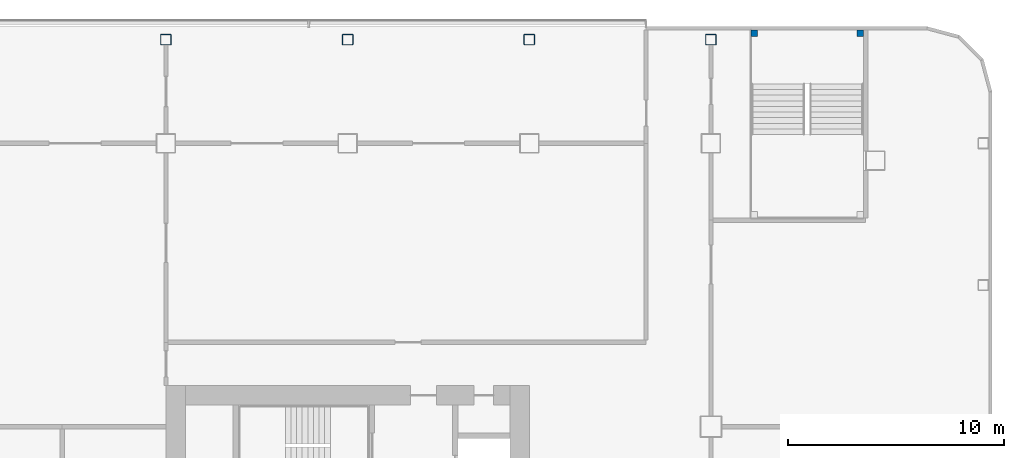
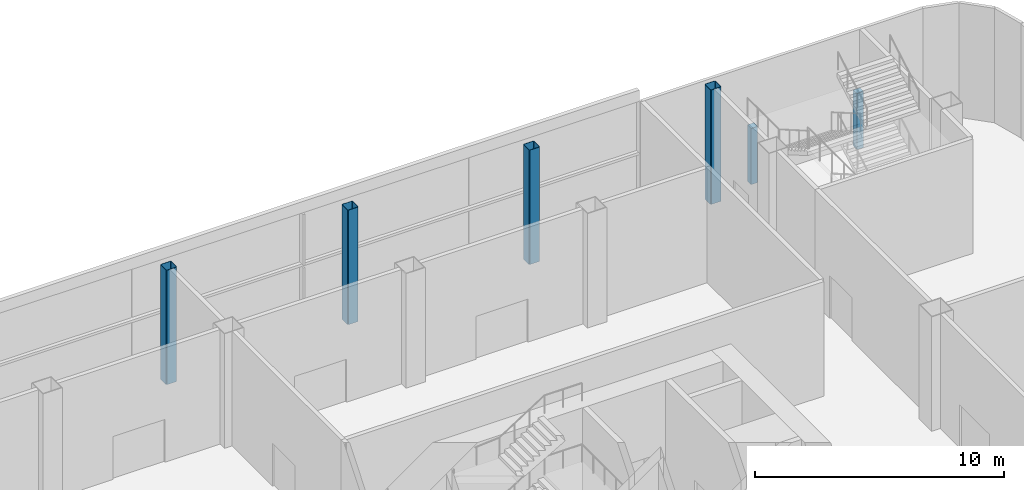
# One storey, part 8 of 100: 6 columns.
"""IFC4 building model written with IfcOpenShell, lengths in metres."""

from ifc_helpers import new_model, si_unit, direction, frame, origin, origin_2d, place, context, subcontext, project, spatial, rectangle, hollow_rectangle, extrude, material, material_profile, profile_set, type_object, element, save


model = new_model("IFC4")

# Units and contexts
model_context = context("Model", 3, precision=1e-05, world=origin(), true_north=direction((0.0, 1.0)))
body_context = subcontext(model_context, "Body", "Model", "MODEL_VIEW")
ifc_project = project(units=[si_unit("LENGTHUNIT", "METRE"), si_unit("AREAUNIT", "SQUARE_METRE"), si_unit("VOLUMEUNIT", "CUBIC_METRE"), si_unit("PLANEANGLEUNIT", "RADIAN"), si_unit("MASSUNIT", "GRAM", prefix="KILO")], contexts=[model_context])

# Site, building, storey
site_placement = place(None, origin())
site = spatial("IfcSite", under=ifc_project, at=site_placement, CompositionType="ELEMENT")
building_placement = place(site_placement, origin())
building = spatial("IfcBuilding", under=site, at=building_placement, Name="Hakoniwa Tower and Hamabe Station Hall", CompositionType="ELEMENT")
storey_placement = place(building_placement, frame((0.0, 0.0, 9.0)))
storey = spatial("IfcBuildingStorey", under=building, at=storey_placement, Name="L02", CompositionType="ELEMENT", Elevation=9.0)

# Columns
ifc_material_1 = material(Name="Steel BCR295", Category="steel")
ifc_material_profile_1 = material_profile(ifc_material_1, hollow_rectangle(XDim=0.5, YDim=0.5, WallThickness=0.01904296875, InnerFilletRadius=0.028564453125, OuterFilletRadius=0.047607421875, at=origin_2d()), Name="BCR-500x500x19")
ifc_profile_set_1 = profile_set([ifc_material_profile_1], Name="Steel BCR295")
column_type_1 = type_object("IfcColumnType", Name="COLUMN BCR-500x500x19", PredefinedType="COLUMN", material=ifc_profile_set_1)
for number, where, z_axis, x_axis, name in (
    (1, (16.800048828125, 24.39990234375, 0.0), (0.0, 0.0, 1.0), (1.0, 0.0, 0.0), "Column P-9-RN"),
    (2, (25.199951171875, 24.39990234375, 0.0), (0.0, 0.0, 1.0), (1.0, 0.0, 0.0), "Column P-10-RN"),
    (3, (33.60009765625, 24.39990234375, 0.0), (0.0, 0.0, 1.0), (1.0, 0.0, 0.0), "Column P-11-RN"),
    (4, (42.0, 24.39990234375, 0.0), (0.0, 0.0, 1.0), (1.0, 0.0, 0.0), "Column P-12-RN"),
):
    element("IfcColumn", number, at=place(storey_placement, frame(where, z_axis=z_axis, x_axis=x_axis)), inside=storey, type_object=column_type_1, Name=name, PredefinedType="COLUMN", context=body_context, shape_type="SweptSolid", body=[
        extrude(hollow_rectangle(XDim=0.5, YDim=0.5, WallThickness=0.01904296875, InnerFilletRadius=0.028564453125, OuterFilletRadius=0.047607421875, at=origin_2d()), origin(), (0.0, 0.0, 1.0), 5.60009765625),
    ])
ifc_material_2 = material(Name="Concrete C40", Category="concrete")
ifc_material_profile_2 = material_profile(ifc_material_2, rectangle(XDim=0.300048828125, YDim=0.300048828125, at=origin_2d()), Name="STAIR LANDING POST 300X300")
ifc_profile_set_2 = profile_set([ifc_material_profile_2], Name="Concrete C40")
column_type_2 = type_object("IfcColumnType", Name="STAIR LANDING POST 300X300", PredefinedType="COLUMN", material=ifc_profile_set_2)
for number, where, z_axis, x_axis, name in (
    (5, (44.0, 24.699951171875, 0.0), (0.0, 0.0, 1.0), (1.0, 0.0, 0.0), "Landing post PS2 1a"),
    (6, (48.89990234375, 24.699951171875, 0.0), (0.0, 0.0, 1.0), (1.0, 0.0, 0.0), "Landing post PS2 1b"),
):
    element("IfcColumn", number, at=place(storey_placement, frame(where, z_axis=z_axis, x_axis=x_axis)), inside=storey, type_object=column_type_2, Name=name, PredefinedType="COLUMN", context=body_context, shape_type="SweptSolid", body=[
        extrude(rectangle(XDim=0.300048828125, YDim=0.300048828125, at=origin_2d()), origin(), (0.0, 0.0, 1.0), 2.75),
    ])

save(model, "model.ifc")
